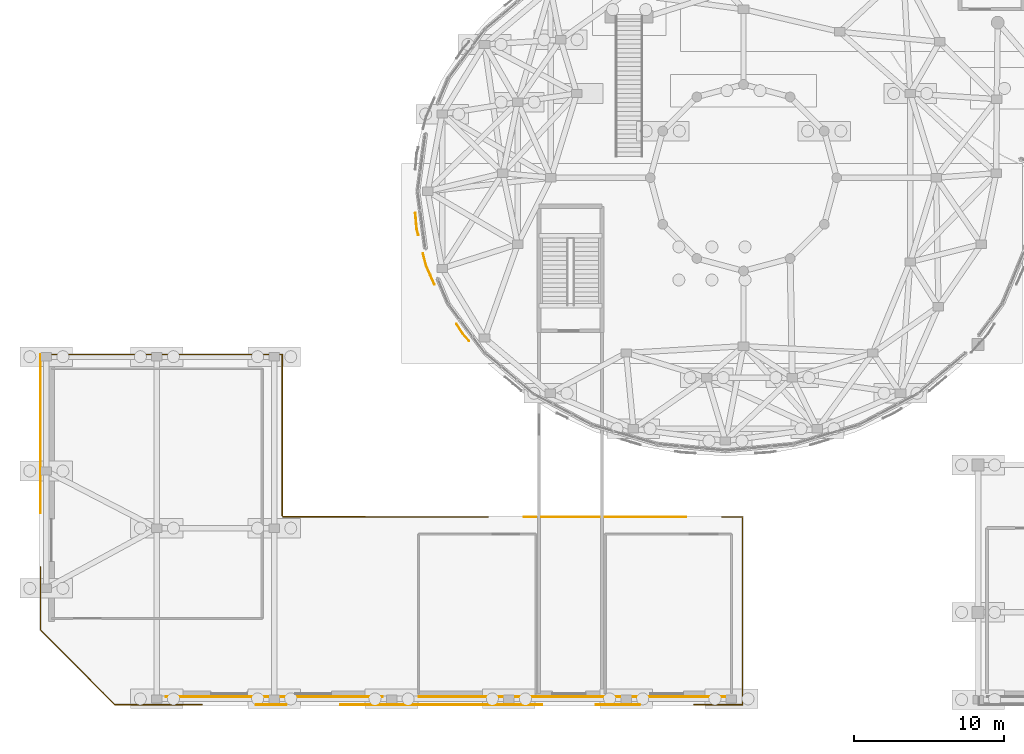
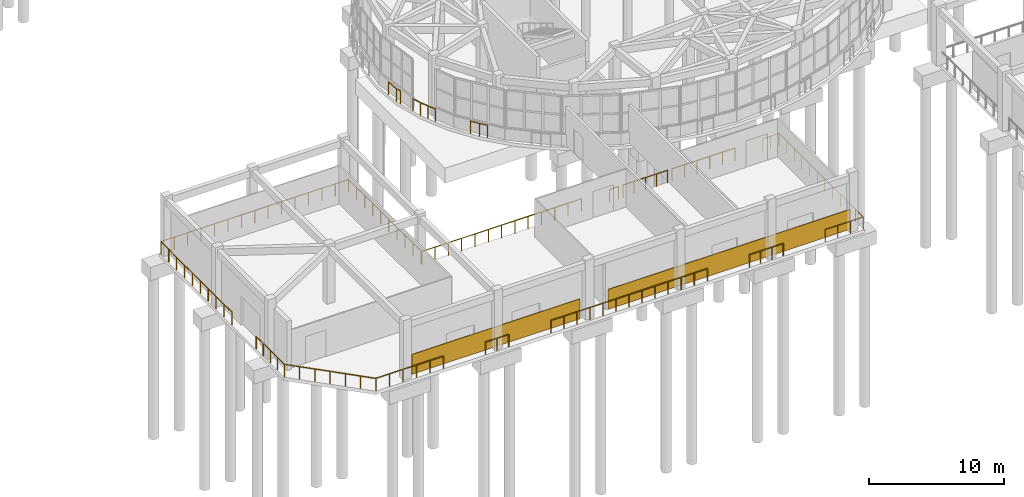
# One storey, part 82 of 96: 13 railings, 2 coverings.
"""IFC4 building model written with IfcOpenShell, lengths in metres."""

from ifc_helpers import new_model, si_unit, direction, frame, origin, origin_2d, place, context, subcontext, project, spatial, rectangle, circle, extrude, material, layer, layer_set, type_object, element, save


model = new_model("IFC4")

# Units and contexts
model_context = context("Model", 3, precision=1e-05, world=origin(), true_north=direction((0.0, 1.0)))
body_context = subcontext(model_context, "Body", "Model", "MODEL_VIEW")
ifc_project = project(units=[si_unit("LENGTHUNIT", "METRE"), si_unit("AREAUNIT", "SQUARE_METRE"), si_unit("VOLUMEUNIT", "CUBIC_METRE"), si_unit("PLANEANGLEUNIT", "RADIAN"), si_unit("MASSUNIT", "GRAM", prefix="KILO")], contexts=[model_context])

# Site, building, storey
site_placement = place(None, origin())
site = spatial("IfcSite", under=ifc_project, at=site_placement, CompositionType="ELEMENT")
building_placement = place(site_placement, origin())
building = spatial("IfcBuilding", under=site, at=building_placement, Name="Pelvatis Terrace Science Centre", CompositionType="ELEMENT")
storey_placement = place(building_placement, origin())
storey = spatial("IfcBuildingStorey", under=building, at=storey_placement, Name="L00", CompositionType="ELEMENT", Elevation=0.0)

# Coverings
ifc_material_1 = material(Name="Polished black Uruguayan granite ashlar cladding", Category="masonry")
ifc_layer = layer(ifc_material_1, 0.050048828125)
ifc_layer_set = layer_set([ifc_layer], Name="Polished black Uruguayan granite ashlar cladding")
covering_type = type_object("IfcCoveringType", Name="COV-CLAD-GRAN-50", PredefinedType="CLADDING", material=ifc_layer_set)
covering_1_placement = place(storey_placement, frame((15.60009765625, 0.5849609375, 0.0), z_axis=(0.0, 0.0, 1.0), x_axis=(1.0, 0.0, 0.0)))
element("IfcCovering", 1, at=covering_1_placement, inside=storey, type_object=covering_type, Name="Polished black granite base cladding EW-L00-S1", PredefinedType="CLADDING", context=body_context, shape_type="SweptSolid", body=[
    extrude(rectangle(XDim=14.39990234375, YDim=0.050048828125, at=origin_2d()), origin(), (0.0, 0.0, 1.0), 1.800048828125),
])
covering_2_placement = place(storey_placement, frame((35.60009765625, 0.5849609375, 0.0), z_axis=(0.0, 0.0, 1.0), x_axis=(1.0, 0.0, 0.0)))
element("IfcCovering", 2, at=covering_2_placement, inside=storey, type_object=covering_type, Name="Polished black granite base cladding EW-L00-S2", PredefinedType="CLADDING", context=body_context, shape_type="SweptSolid", body=[
    extrude(rectangle(XDim=20.800048828125, YDim=0.050048828125, at=origin_2d()), origin(), (0.0, 0.0, 1.0), 1.800048828125),
])

# Railings
ifc_material_2 = material(Name="Bronze-anodised aluminium and laminated safety glass balustrade", Category="aluminium")
railing_type = type_object("IfcRailingType", Name="RLG-BAL-1150", PredefinedType="BALUSTRADE", material=ifc_material_2)
railing_1_placement = place(storey_placement, frame((28.5625, 24.2548828125, 0.0)))
element("IfcRailing", 3, at=railing_1_placement, inside=storey, type_object=railing_type, Name="Perimeter edge balustrade RLG-EDG-L00-071", PredefinedType="BALUSTRADE", context=body_context, shape_type="SweptSolid", body=[
    extrude(circle(Radius=0.02392578125, at=origin_2d()), frame((0.0, 0.0, 1.1259765625), z_axis=(-0.662658481676, 0.748921715977, 0.0), x_axis=(-0.748921715977, -0.662658481676, 0.0)), (0.0, 0.0, 1.0), 0.62255859375),
    extrude(circle(Radius=0.02392578125, at=origin_2d()), frame((-0.41259765625, 0.46630859375, 1.1259765625), z_axis=(-0.542419471517, 0.840107800773, 0.0), x_axis=(-0.840107800773, -0.542419471517, 0.0)), (0.0, 0.0, 1.0), 0.779052734375),
    extrude(circle(Radius=0.02099609375, at=origin_2d()), origin(), (0.0, 0.0, 1.0), 1.101806640625),
    extrude(circle(Radius=0.02099609375, at=origin_2d()), frame((-0.41259765625, 0.46630859375, 0.0)), (0.0, 0.0, 1.0), 1.101806640625),
    extrude(circle(Radius=0.02099609375, at=origin_2d()), frame((-0.835205078125, 1.120849609375, 0.0)), (0.0, 0.0, 1.0), 1.101806640625),
])
railing_2_placement = place(storey_placement, frame((26.254150390625, 28.0029296875, 0.0)))
element("IfcRailing", 4, at=railing_2_placement, inside=storey, type_object=railing_type, Name="Perimeter edge balustrade RLG-EDG-L00-072", PredefinedType="BALUSTRADE", context=body_context, shape_type="SweptSolid", body=[
    extrude(circle(Radius=0.02392578125, at=origin_2d()), frame((0.0, 0.0, 1.1259765625), z_axis=(-0.403369187602, 0.91503732082, 0.0), x_axis=(-0.91503732082, -0.403369187602, 0.0)), (0.0, 0.0, 1.0), 1.375244140625),
    extrude(circle(Radius=0.02392578125, at=origin_2d()), frame((-0.5546875, 1.25830078125, 1.1259765625), z_axis=(-0.249065311724, 0.968486690923, 0.0), x_axis=(-0.968486690923, -0.249065311724, 0.0)), (0.0, 0.0, 1.0), 0.80859375),
    extrude(circle(Radius=0.02099609375, at=origin_2d()), origin(), (0.0, 0.0, 1.0), 1.101806640625),
    extrude(circle(Radius=0.02099609375, at=origin_2d()), frame((-0.27734375, 0.629150390625, 0.0)), (0.0, 0.0, 1.0), 1.101806640625),
    extrude(circle(Radius=0.02099609375, at=origin_2d()), frame((-0.5546875, 1.25830078125, 0.0)), (0.0, 0.0, 1.0), 1.101806640625),
    extrude(circle(Radius=0.02099609375, at=origin_2d()), frame((-0.756103515625, 2.04150390625, 0.0)), (0.0, 0.0, 1.0), 1.101806640625),
])
railing_3_placement = place(storey_placement, frame((25.17822265625, 31.288818359375, 0.0)))
element("IfcRailing", 5, at=railing_3_placement, inside=storey, type_object=railing_type, Name="Perimeter edge balustrade RLG-EDG-L00-073", PredefinedType="BALUSTRADE", context=body_context, shape_type="SweptSolid", body=[
    extrude(circle(Radius=0.02392578125, at=origin_2d()), frame((0.0, 0.0, 1.1259765625), z_axis=(-0.249208382225, 0.968449886276, 0.0), x_axis=(-0.968449886276, -0.249208382225, 0.0)), (0.0, 0.0, 1.0), 0.43017578125),
    extrude(circle(Radius=0.02392578125, at=origin_2d()), frame((-0.107177734375, 0.41650390625, 1.1259765625), z_axis=(-0.084158264632, 0.996452400516, 0.0), x_axis=(-0.996452400516, -0.084158264632, 0.0)), (0.0, 0.0, 1.0), 1.052978515625),
    extrude(circle(Radius=0.02099609375, at=origin_2d()), origin(), (0.0, 0.0, 1.0), 1.101806640625),
    extrude(circle(Radius=0.02099609375, at=origin_2d()), frame((-0.107177734375, 0.41650390625, 0.0)), (0.0, 0.0, 1.0), 1.101806640625),
    extrude(circle(Radius=0.02099609375, at=origin_2d()), frame((-0.19580078125, 1.4658203125, 0.0)), (0.0, 0.0, 1.0), 1.101806640625),
])
railing_4_placement = place(storey_placement, frame((0.06005859375, 23.340087890625, 0.0)))
element("IfcRailing", 6, at=railing_4_placement, inside=storey, type_object=railing_type, Name="Perimeter edge balustrade RLG-EDG-L00-084", PredefinedType="BALUSTRADE", context=body_context, shape_type="SweptSolid", body=[
    extrude(circle(Radius=0.02392578125, at=origin_2d()), frame((0.0, 0.0, 1.1259765625), z_axis=(1.0, 0.0, 0.0), x_axis=(0.0, 1.0, 0.0)), (0.0, 0.0, 1.0), 16.079833984375),
    extrude(circle(Radius=0.02392578125, at=origin_2d()), frame((16.079833984375, 0.0, 1.1259765625), z_axis=(0.0, -1.0, 0.0), x_axis=(1.0, 0.0, 0.0)), (0.0, 0.0, 1.0), 10.7001953125),
    extrude(circle(Radius=0.02392578125, at=origin_2d()), frame((16.079833984375, -10.7001953125, 1.1259765625), z_axis=(0.442780312455, -0.896630132721, 0.0), x_axis=(0.896630132721, 0.442780312455, 0.0)), (0.0, 0.0, 1.0), 0.088134765625),
    extrude(circle(Radius=0.02392578125, at=origin_2d()), frame((16.118896484375, -10.779296875, 1.1259765625), z_axis=(0.99999884269, -0.001521387178, 0.0), x_axis=(0.001521387178, 0.99999884269, 0.0)), (0.0, 0.0, 1.0), 13.64013671875),
    extrude(circle(Radius=0.02099609375, at=origin_2d()), origin(), (0.0, 0.0, 1.0), 1.101806640625),
    extrude(circle(Radius=0.02099609375, at=origin_2d()), frame((1.1484375, 0.0, 0.0)), (0.0, 0.0, 1.0), 1.101806640625),
    extrude(circle(Radius=0.02099609375, at=origin_2d()), frame((2.297119140625, 0.0, 0.0)), (0.0, 0.0, 1.0), 1.101806640625),
    extrude(circle(Radius=0.02099609375, at=origin_2d()), frame((3.44580078125, 0.0, 0.0)), (0.0, 0.0, 1.0), 1.101806640625),
    extrude(circle(Radius=0.02099609375, at=origin_2d()), frame((4.59423828125, 0.0, 0.0)), (0.0, 0.0, 1.0), 1.101806640625),
    extrude(circle(Radius=0.02099609375, at=origin_2d()), frame((5.74267578125, 0.0, 0.0)), (0.0, 0.0, 1.0), 1.101806640625),
    extrude(circle(Radius=0.02099609375, at=origin_2d()), frame((6.891357421875, 0.0, 0.0)), (0.0, 0.0, 1.0), 1.101806640625),
    extrude(circle(Radius=0.02099609375, at=origin_2d()), frame((8.0400390625, 0.0, 0.0)), (0.0, 0.0, 1.0), 1.101806640625),
    extrude(circle(Radius=0.02099609375, at=origin_2d()), frame((9.1884765625, 0.0, 0.0)), (0.0, 0.0, 1.0), 1.101806640625),
    extrude(circle(Radius=0.02099609375, at=origin_2d()), frame((10.3369140625, 0.0, 0.0)), (0.0, 0.0, 1.0), 1.101806640625),
    extrude(circle(Radius=0.02099609375, at=origin_2d()), frame((11.485595703125, 0.0, 0.0)), (0.0, 0.0, 1.0), 1.101806640625),
    extrude(circle(Radius=0.02099609375, at=origin_2d()), frame((12.63427734375, 0.0, 0.0)), (0.0, 0.0, 1.0), 1.101806640625),
    extrude(circle(Radius=0.02099609375, at=origin_2d()), frame((13.78271484375, 0.0, 0.0)), (0.0, 0.0, 1.0), 1.101806640625),
    extrude(circle(Radius=0.02099609375, at=origin_2d()), frame((14.93115234375, 0.0, 0.0)), (0.0, 0.0, 1.0), 1.101806640625),
    extrude(circle(Radius=0.02099609375, at=origin_2d()), frame((16.079833984375, 0.0, 0.0)), (0.0, 0.0, 1.0), 1.101806640625),
    extrude(circle(Radius=0.02099609375, at=origin_2d()), frame((16.079833984375, -1.18896484375, 0.0)), (0.0, 0.0, 1.0), 1.101806640625),
    extrude(circle(Radius=0.02099609375, at=origin_2d()), frame((16.079833984375, -2.3779296875, 0.0)), (0.0, 0.0, 1.0), 1.101806640625),
    extrude(circle(Radius=0.02099609375, at=origin_2d()), frame((16.079833984375, -3.566650390625, 0.0)), (0.0, 0.0, 1.0), 1.101806640625),
    extrude(circle(Radius=0.02099609375, at=origin_2d()), frame((16.079833984375, -4.755615234375, 0.0)), (0.0, 0.0, 1.0), 1.101806640625),
    extrude(circle(Radius=0.02099609375, at=origin_2d()), frame((16.079833984375, -5.944580078125, 0.0)), (0.0, 0.0, 1.0), 1.101806640625),
    extrude(circle(Radius=0.02099609375, at=origin_2d()), frame((16.079833984375, -7.133544921875, 0.0)), (0.0, 0.0, 1.0), 1.101806640625),
    extrude(circle(Radius=0.02099609375, at=origin_2d()), frame((16.079833984375, -8.322265625, 0.0)), (0.0, 0.0, 1.0), 1.101806640625),
    extrude(circle(Radius=0.02099609375, at=origin_2d()), frame((16.079833984375, -9.51123046875, 0.0)), (0.0, 0.0, 1.0), 1.101806640625),
    extrude(circle(Radius=0.02099609375, at=origin_2d()), frame((16.079833984375, -10.7001953125, 0.0)), (0.0, 0.0, 1.0), 1.101806640625),
    extrude(circle(Radius=0.02099609375, at=origin_2d()), frame((16.118896484375, -10.779296875, 0.0)), (0.0, 0.0, 1.0), 1.101806640625),
    extrude(circle(Radius=0.02099609375, at=origin_2d()), frame((17.255615234375, -10.781005859375, 0.0)), (0.0, 0.0, 1.0), 1.101806640625),
    extrude(circle(Radius=0.02099609375, at=origin_2d()), frame((18.392333984375, -10.78271484375, 0.0)), (0.0, 0.0, 1.0), 1.101806640625),
    extrude(circle(Radius=0.02099609375, at=origin_2d()), frame((19.52880859375, -10.784423828125, 0.0)), (0.0, 0.0, 1.0), 1.101806640625),
    extrude(circle(Radius=0.02099609375, at=origin_2d()), frame((20.66552734375, -10.7861328125, 0.0)), (0.0, 0.0, 1.0), 1.101806640625),
    extrude(circle(Radius=0.02099609375, at=origin_2d()), frame((21.80224609375, -10.787841796875, 0.0)), (0.0, 0.0, 1.0), 1.101806640625),
    extrude(circle(Radius=0.02099609375, at=origin_2d()), frame((22.93896484375, -10.78955078125, 0.0)), (0.0, 0.0, 1.0), 1.101806640625),
    extrude(circle(Radius=0.02099609375, at=origin_2d()), frame((24.07568359375, -10.79150390625, 0.0)), (0.0, 0.0, 1.0), 1.101806640625),
    extrude(circle(Radius=0.02099609375, at=origin_2d()), frame((25.21240234375, -10.793212890625, 0.0)), (0.0, 0.0, 1.0), 1.101806640625),
    extrude(circle(Radius=0.02099609375, at=origin_2d()), frame((26.34912109375, -10.794921875, 0.0)), (0.0, 0.0, 1.0), 1.101806640625),
    extrude(circle(Radius=0.02099609375, at=origin_2d()), frame((27.485595703125, -10.796630859375, 0.0)), (0.0, 0.0, 1.0), 1.101806640625),
    extrude(circle(Radius=0.02099609375, at=origin_2d()), frame((28.622314453125, -10.79833984375, 0.0)), (0.0, 0.0, 1.0), 1.101806640625),
    extrude(circle(Radius=0.02099609375, at=origin_2d()), frame((29.759033203125, -10.800048828125, 0.0)), (0.0, 0.0, 1.0), 1.101806640625),
])
railing_5_placement = place(storey_placement, frame((32.218994140625, 12.5400390625, 0.0)))
element("IfcRailing", 7, at=railing_5_placement, inside=storey, type_object=railing_type, Name="Perimeter edge balustrade RLG-EDG-L00-085", PredefinedType="BALUSTRADE", context=body_context, shape_type="SweptSolid", body=[
    extrude(circle(Radius=0.02392578125, at=origin_2d()), frame((0.0, 0.0, 1.1259765625), z_axis=(1.0, 0.0, 0.0), x_axis=(0.0, 1.0, 0.0)), (0.0, 0.0, 1.0), 0.7958984375),
    extrude(circle(Radius=0.02099609375, at=origin_2d()), origin(), (0.0, 0.0, 1.0), 1.101806640625),
    extrude(circle(Radius=0.02099609375, at=origin_2d()), frame((0.7958984375, 0.0, 0.0)), (0.0, 0.0, 1.0), 1.101806640625),
])
railing_6_placement = place(storey_placement, frame((33.385009765625, 12.5400390625, 0.0)))
element("IfcRailing", 8, at=railing_6_placement, inside=storey, type_object=railing_type, Name="Perimeter edge balustrade RLG-EDG-L00-086", PredefinedType="BALUSTRADE", context=body_context, shape_type="SweptSolid", body=[
    extrude(circle(Radius=0.02392578125, at=origin_2d()), frame((0.0, 0.0, 1.1259765625), z_axis=(1.0, 0.0, 0.0), x_axis=(0.0, 1.0, 0.0)), (0.0, 0.0, 1.0), 3.830078125),
    extrude(circle(Radius=0.02099609375, at=origin_2d()), origin(), (0.0, 0.0, 1.0), 1.101806640625),
    extrude(circle(Radius=0.02099609375, at=origin_2d()), frame((0.95751953125, 0.0, 0.0)), (0.0, 0.0, 1.0), 1.101806640625),
    extrude(circle(Radius=0.02099609375, at=origin_2d()), frame((1.9150390625, 0.0, 0.0)), (0.0, 0.0, 1.0), 1.101806640625),
    extrude(circle(Radius=0.02099609375, at=origin_2d()), frame((2.87255859375, 0.0, 0.0)), (0.0, 0.0, 1.0), 1.101806640625),
    extrude(circle(Radius=0.02099609375, at=origin_2d()), frame((3.830078125, 0.0, 0.0)), (0.0, 0.0, 1.0), 1.101806640625),
])
railing_7_placement = place(storey_placement, frame((37.5849609375, 12.5400390625, 0.0)))
element("IfcRailing", 9, at=railing_7_placement, inside=storey, type_object=railing_type, Name="Perimeter edge balustrade RLG-EDG-L00-087", PredefinedType="BALUSTRADE", context=body_context, shape_type="SweptSolid", body=[
    extrude(circle(Radius=0.02392578125, at=origin_2d()), frame((0.0, 0.0, 1.1259765625), z_axis=(1.0, 0.0, 0.0), x_axis=(0.0, 1.0, 0.0)), (0.0, 0.0, 1.0), 5.379150390625),
    extrude(circle(Radius=0.02099609375, at=origin_2d()), origin(), (0.0, 0.0, 1.0), 1.101806640625),
    extrude(circle(Radius=0.02099609375, at=origin_2d()), frame((1.075927734375, 0.0, 0.0)), (0.0, 0.0, 1.0), 1.101806640625),
    extrude(circle(Radius=0.02099609375, at=origin_2d()), frame((2.151611328125, 0.0, 0.0)), (0.0, 0.0, 1.0), 1.101806640625),
    extrude(circle(Radius=0.02099609375, at=origin_2d()), frame((3.2275390625, 0.0, 0.0)), (0.0, 0.0, 1.0), 1.101806640625),
    extrude(circle(Radius=0.02099609375, at=origin_2d()), frame((4.30322265625, 0.0, 0.0)), (0.0, 0.0, 1.0), 1.101806640625),
    extrude(circle(Radius=0.02099609375, at=origin_2d()), frame((5.379150390625, 0.0, 0.0)), (0.0, 0.0, 1.0), 1.101806640625),
])
railing_8_placement = place(storey_placement, frame((45.364013671875, 12.5400390625, 0.0)))
element("IfcRailing", 10, at=railing_8_placement, inside=storey, type_object=railing_type, Name="Perimeter edge balustrade RLG-EDG-L00-088", PredefinedType="BALUSTRADE", context=body_context, shape_type="SweptSolid", body=[
    extrude(circle(Radius=0.02392578125, at=origin_2d()), frame((0.0, 0.0, 1.1259765625), z_axis=(1.0, 0.0, 0.0), x_axis=(0.0, 1.0, 0.0)), (0.0, 0.0, 1.0), 1.3759765625),
    extrude(circle(Radius=0.02392578125, at=origin_2d()), frame((1.3759765625, 0.0, 1.1259765625), z_axis=(0.0, -1.0, 0.0), x_axis=(1.0, 0.0, 0.0)), (0.0, 0.0, 1.0), 12.47998046875),
    extrude(circle(Radius=0.02392578125, at=origin_2d()), frame((1.3759765625, -12.47998046875, 1.1259765625), z_axis=(-1.0, 0.0, 0.0), x_axis=(0.0, -1.0, 0.0)), (0.0, 0.0, 1.0), 3.239990234375),
    extrude(circle(Radius=0.02099609375, at=origin_2d()), origin(), (0.0, 0.0, 1.0), 1.101806640625),
    extrude(circle(Radius=0.02099609375, at=origin_2d()), frame((0.68798828125, 0.0, 0.0)), (0.0, 0.0, 1.0), 1.101806640625),
    extrude(circle(Radius=0.02099609375, at=origin_2d()), frame((1.3759765625, 0.0, 0.0)), (0.0, 0.0, 1.0), 1.101806640625),
    extrude(circle(Radius=0.02099609375, at=origin_2d()), frame((1.3759765625, -1.134521484375, 0.0)), (0.0, 0.0, 1.0), 1.101806640625),
    extrude(circle(Radius=0.02099609375, at=origin_2d()), frame((1.3759765625, -2.26904296875, 0.0)), (0.0, 0.0, 1.0), 1.101806640625),
    extrude(circle(Radius=0.02099609375, at=origin_2d()), frame((1.3759765625, -3.403564453125, 0.0)), (0.0, 0.0, 1.0), 1.101806640625),
    extrude(circle(Radius=0.02099609375, at=origin_2d()), frame((1.3759765625, -4.5380859375, 0.0)), (0.0, 0.0, 1.0), 1.101806640625),
    extrude(circle(Radius=0.02099609375, at=origin_2d()), frame((1.3759765625, -5.672607421875, 0.0)), (0.0, 0.0, 1.0), 1.101806640625),
    extrude(circle(Radius=0.02099609375, at=origin_2d()), frame((1.3759765625, -6.807373046875, 0.0)), (0.0, 0.0, 1.0), 1.101806640625),
    extrude(circle(Radius=0.02099609375, at=origin_2d()), frame((1.3759765625, -7.94189453125, 0.0)), (0.0, 0.0, 1.0), 1.101806640625),
    extrude(circle(Radius=0.02099609375, at=origin_2d()), frame((1.3759765625, -9.076416015625, 0.0)), (0.0, 0.0, 1.0), 1.101806640625),
    extrude(circle(Radius=0.02099609375, at=origin_2d()), frame((1.3759765625, -10.2109375, 0.0)), (0.0, 0.0, 1.0), 1.101806640625),
    extrude(circle(Radius=0.02099609375, at=origin_2d()), frame((1.3759765625, -11.345458984375, 0.0)), (0.0, 0.0, 1.0), 1.101806640625),
    extrude(circle(Radius=0.02099609375, at=origin_2d()), frame((1.3759765625, -12.47998046875, 0.0)), (0.0, 0.0, 1.0), 1.101806640625),
    extrude(circle(Radius=0.02099609375, at=origin_2d()), frame((0.2958984375, -12.47998046875, 0.0)), (0.0, 0.0, 1.0), 1.101806640625),
    extrude(circle(Radius=0.02099609375, at=origin_2d()), frame((-0.783935546875, -12.47998046875, 0.0)), (0.0, 0.0, 1.0), 1.101806640625),
    extrude(circle(Radius=0.02099609375, at=origin_2d()), frame((-1.864013671875, -12.47998046875, 0.0)), (0.0, 0.0, 1.0), 1.101806640625),
])
railing_9_placement = place(storey_placement, frame((39.89990234375, 0.06005859375, 0.0)))
element("IfcRailing", 11, at=railing_9_placement, inside=storey, type_object=railing_type, Name="Perimeter edge balustrade RLG-EDG-L00-089", PredefinedType="BALUSTRADE", context=body_context, shape_type="SweptSolid", body=[
    extrude(circle(Radius=0.02392578125, at=origin_2d()), frame((0.0, 0.0, 1.1259765625), z_axis=(-1.0, 0.0, 0.0), x_axis=(0.0, -1.0, 0.0)), (0.0, 0.0, 1.0), 2.89990234375),
    extrude(circle(Radius=0.02099609375, at=origin_2d()), origin(), (0.0, 0.0, 1.0), 1.101806640625),
    extrude(circle(Radius=0.02099609375, at=origin_2d()), frame((-0.966552734375, 0.0, 0.0)), (0.0, 0.0, 1.0), 1.101806640625),
    extrude(circle(Radius=0.02099609375, at=origin_2d()), frame((-1.933349609375, 0.0, 0.0)), (0.0, 0.0, 1.0), 1.101806640625),
    extrude(circle(Radius=0.02099609375, at=origin_2d()), frame((-2.89990234375, 0.0, 0.0)), (0.0, 0.0, 1.0), 1.101806640625),
])
railing_10_placement = place(storey_placement, frame((33.39990234375, 0.06005859375, 0.0)))
element("IfcRailing", 12, at=railing_10_placement, inside=storey, type_object=railing_type, Name="Perimeter edge balustrade RLG-EDG-L00-090", PredefinedType="BALUSTRADE", context=body_context, shape_type="SweptSolid", body=[
    extrude(circle(Radius=0.02392578125, at=origin_2d()), frame((0.0, 0.0, 1.1259765625), z_axis=(-1.0, 0.0, 0.0), x_axis=(0.0, -1.0, 0.0)), (0.0, 0.0, 1.0), 13.39990234375),
    extrude(circle(Radius=0.02099609375, at=origin_2d()), origin(), (0.0, 0.0, 1.0), 1.101806640625),
    extrude(circle(Radius=0.02099609375, at=origin_2d()), frame((-1.11669921875, 0.0, 0.0)), (0.0, 0.0, 1.0), 1.101806640625),
    extrude(circle(Radius=0.02099609375, at=origin_2d()), frame((-2.2333984375, 0.0, 0.0)), (0.0, 0.0, 1.0), 1.101806640625),
    extrude(circle(Radius=0.02099609375, at=origin_2d()), frame((-3.35009765625, 0.0, 0.0)), (0.0, 0.0, 1.0), 1.101806640625),
    extrude(circle(Radius=0.02099609375, at=origin_2d()), frame((-4.466552734375, 0.0, 0.0)), (0.0, 0.0, 1.0), 1.101806640625),
    extrude(circle(Radius=0.02099609375, at=origin_2d()), frame((-5.583251953125, 0.0, 0.0)), (0.0, 0.0, 1.0), 1.101806640625),
    extrude(circle(Radius=0.02099609375, at=origin_2d()), frame((-6.699951171875, 0.0, 0.0)), (0.0, 0.0, 1.0), 1.101806640625),
    extrude(circle(Radius=0.02099609375, at=origin_2d()), frame((-7.816650390625, 0.0, 0.0)), (0.0, 0.0, 1.0), 1.101806640625),
    extrude(circle(Radius=0.02099609375, at=origin_2d()), frame((-8.933349609375, 0.0, 0.0)), (0.0, 0.0, 1.0), 1.101806640625),
    extrude(circle(Radius=0.02099609375, at=origin_2d()), frame((-10.0498046875, 0.0, 0.0)), (0.0, 0.0, 1.0), 1.101806640625),
    extrude(circle(Radius=0.02099609375, at=origin_2d()), frame((-11.16650390625, 0.0, 0.0)), (0.0, 0.0, 1.0), 1.101806640625),
    extrude(circle(Radius=0.02099609375, at=origin_2d()), frame((-12.283203125, 0.0, 0.0)), (0.0, 0.0, 1.0), 1.101806640625),
    extrude(circle(Radius=0.02099609375, at=origin_2d()), frame((-13.39990234375, 0.0, 0.0)), (0.0, 0.0, 1.0), 1.101806640625),
])
railing_11_placement = place(storey_placement, frame((16.39990234375, 0.06005859375, 0.0)))
element("IfcRailing", 13, at=railing_11_placement, inside=storey, type_object=railing_type, Name="Perimeter edge balustrade RLG-EDG-L00-091", PredefinedType="BALUSTRADE", context=body_context, shape_type="SweptSolid", body=[
    extrude(circle(Radius=0.02392578125, at=origin_2d()), frame((0.0, 0.0, 1.1259765625), z_axis=(-1.0, 0.0, 0.0), x_axis=(0.0, -1.0, 0.0)), (0.0, 0.0, 1.0), 2.0),
    extrude(circle(Radius=0.02099609375, at=origin_2d()), origin(), (0.0, 0.0, 1.0), 1.101806640625),
    extrude(circle(Radius=0.02099609375, at=origin_2d()), frame((-1.0, 0.0, 0.0)), (0.0, 0.0, 1.0), 1.101806640625),
    extrude(circle(Radius=0.02099609375, at=origin_2d()), frame((-2.0, 0.0, 0.0)), (0.0, 0.0, 1.0), 1.101806640625),
])
railing_12_placement = place(storey_placement, frame((10.800048828125, 0.06005859375, 0.0)))
element("IfcRailing", 14, at=railing_12_placement, inside=storey, type_object=railing_type, Name="Perimeter edge balustrade RLG-EDG-L00-092", PredefinedType="BALUSTRADE", context=body_context, shape_type="SweptSolid", body=[
    extrude(circle(Radius=0.02392578125, at=origin_2d()), frame((0.0, 0.0, 1.1259765625), z_axis=(-1.0, 0.0, 0.0), x_axis=(0.0, -1.0, 0.0)), (0.0, 0.0, 1.0), 5.775146484375),
    extrude(circle(Radius=0.02392578125, at=origin_2d()), frame((-5.775146484375, 0.0, 1.1259765625), z_axis=(-0.707106781187, 0.707106781187, 0.0), x_axis=(-0.707106781187, -0.707106781187, 0.0)), (0.0, 0.0, 1.0), 7.021240234375),
    extrude(circle(Radius=0.02392578125, at=origin_2d()), frame((-10.739990234375, 4.96484375, 1.1259765625), z_axis=(0.0, 1.0, 0.0), x_axis=(-1.0, 0.0, 0.0)), (0.0, 0.0, 1.0), 4.175048828125),
    extrude(circle(Radius=0.02099609375, at=origin_2d()), origin(), (0.0, 0.0, 1.0), 1.101806640625),
    extrude(circle(Radius=0.02099609375, at=origin_2d()), frame((-1.155029296875, 0.0, 0.0)), (0.0, 0.0, 1.0), 1.101806640625),
    extrude(circle(Radius=0.02099609375, at=origin_2d()), frame((-2.31005859375, 0.0, 0.0)), (0.0, 0.0, 1.0), 1.101806640625),
    extrude(circle(Radius=0.02099609375, at=origin_2d()), frame((-3.465087890625, 0.0, 0.0)), (0.0, 0.0, 1.0), 1.101806640625),
    extrude(circle(Radius=0.02099609375, at=origin_2d()), frame((-4.6201171875, 0.0, 0.0)), (0.0, 0.0, 1.0), 1.101806640625),
    extrude(circle(Radius=0.02099609375, at=origin_2d()), frame((-5.775146484375, 0.0, 0.0)), (0.0, 0.0, 1.0), 1.101806640625),
    extrude(circle(Radius=0.02099609375, at=origin_2d()), frame((-6.6025390625, 0.827392578125, 0.0)), (0.0, 0.0, 1.0), 1.101806640625),
    extrude(circle(Radius=0.02099609375, at=origin_2d()), frame((-7.43017578125, 1.655029296875, 0.0)), (0.0, 0.0, 1.0), 1.101806640625),
    extrude(circle(Radius=0.02099609375, at=origin_2d()), frame((-8.257568359375, 2.482421875, 0.0)), (0.0, 0.0, 1.0), 1.101806640625),
    extrude(circle(Radius=0.02099609375, at=origin_2d()), frame((-9.0849609375, 3.309814453125, 0.0)), (0.0, 0.0, 1.0), 1.101806640625),
    extrude(circle(Radius=0.02099609375, at=origin_2d()), frame((-9.91259765625, 4.137451171875, 0.0)), (0.0, 0.0, 1.0), 1.101806640625),
    extrude(circle(Radius=0.02099609375, at=origin_2d()), frame((-10.739990234375, 4.96484375, 0.0)), (0.0, 0.0, 1.0), 1.101806640625),
    extrude(circle(Radius=0.02099609375, at=origin_2d()), frame((-10.739990234375, 6.008544921875, 0.0)), (0.0, 0.0, 1.0), 1.101806640625),
    extrude(circle(Radius=0.02099609375, at=origin_2d()), frame((-10.739990234375, 7.05224609375, 0.0)), (0.0, 0.0, 1.0), 1.101806640625),
    extrude(circle(Radius=0.02099609375, at=origin_2d()), frame((-10.739990234375, 8.09619140625, 0.0)), (0.0, 0.0, 1.0), 1.101806640625),
    extrude(circle(Radius=0.02099609375, at=origin_2d()), frame((-10.739990234375, 9.139892578125, 0.0)), (0.0, 0.0, 1.0), 1.101806640625),
])
railing_13_placement = place(storey_placement, frame((0.06005859375, 12.800048828125, 0.0)))
element("IfcRailing", 15, at=railing_13_placement, inside=storey, type_object=railing_type, Name="Perimeter edge balustrade RLG-EDG-L00-093", PredefinedType="BALUSTRADE", context=body_context, shape_type="SweptSolid", body=[
    extrude(circle(Radius=0.02392578125, at=origin_2d()), frame((0.0, 0.0, 1.1259765625), z_axis=(0.0, 1.0, 0.0), x_axis=(-1.0, 0.0, 0.0)), (0.0, 0.0, 1.0), 10.5400390625),
    extrude(circle(Radius=0.02099609375, at=origin_2d()), origin(), (0.0, 0.0, 1.0), 1.101806640625),
    extrude(circle(Radius=0.02099609375, at=origin_2d()), frame((0.0, 1.171142578125, 0.0)), (0.0, 0.0, 1.0), 1.101806640625),
    extrude(circle(Radius=0.02099609375, at=origin_2d()), frame((0.0, 2.34228515625, 0.0)), (0.0, 0.0, 1.0), 1.101806640625),
    extrude(circle(Radius=0.02099609375, at=origin_2d()), frame((0.0, 3.513427734375, 0.0)), (0.0, 0.0, 1.0), 1.101806640625),
    extrude(circle(Radius=0.02099609375, at=origin_2d()), frame((0.0, 4.6845703125, 0.0)), (0.0, 0.0, 1.0), 1.101806640625),
    extrude(circle(Radius=0.02099609375, at=origin_2d()), frame((0.0, 5.85546875, 0.0)), (0.0, 0.0, 1.0), 1.101806640625),
    extrude(circle(Radius=0.02099609375, at=origin_2d()), frame((0.0, 7.026611328125, 0.0)), (0.0, 0.0, 1.0), 1.101806640625),
    extrude(circle(Radius=0.02099609375, at=origin_2d()), frame((0.0, 8.19775390625, 0.0)), (0.0, 0.0, 1.0), 1.101806640625),
    extrude(circle(Radius=0.02099609375, at=origin_2d()), frame((0.0, 9.368896484375, 0.0)), (0.0, 0.0, 1.0), 1.101806640625),
    extrude(circle(Radius=0.02099609375, at=origin_2d()), frame((0.0, 10.5400390625, 0.0)), (0.0, 0.0, 1.0), 1.101806640625),
])

save(model, "model.ifc")
